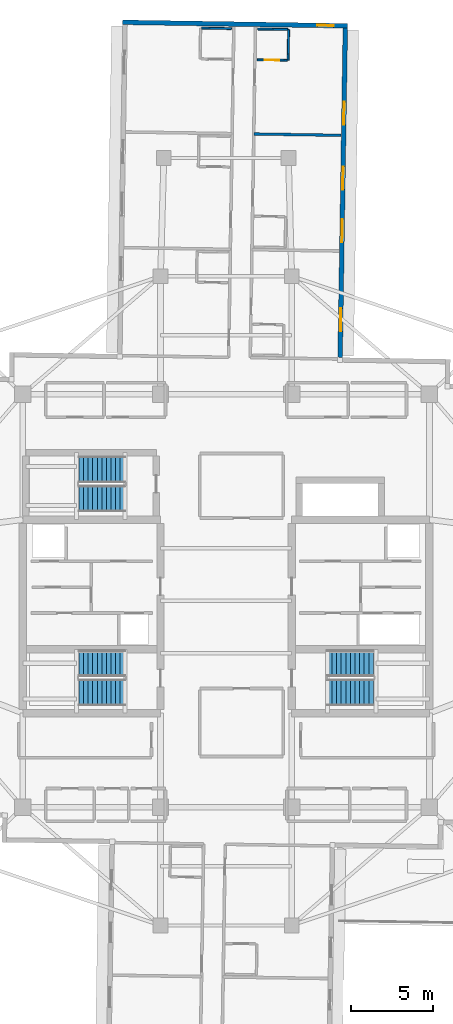
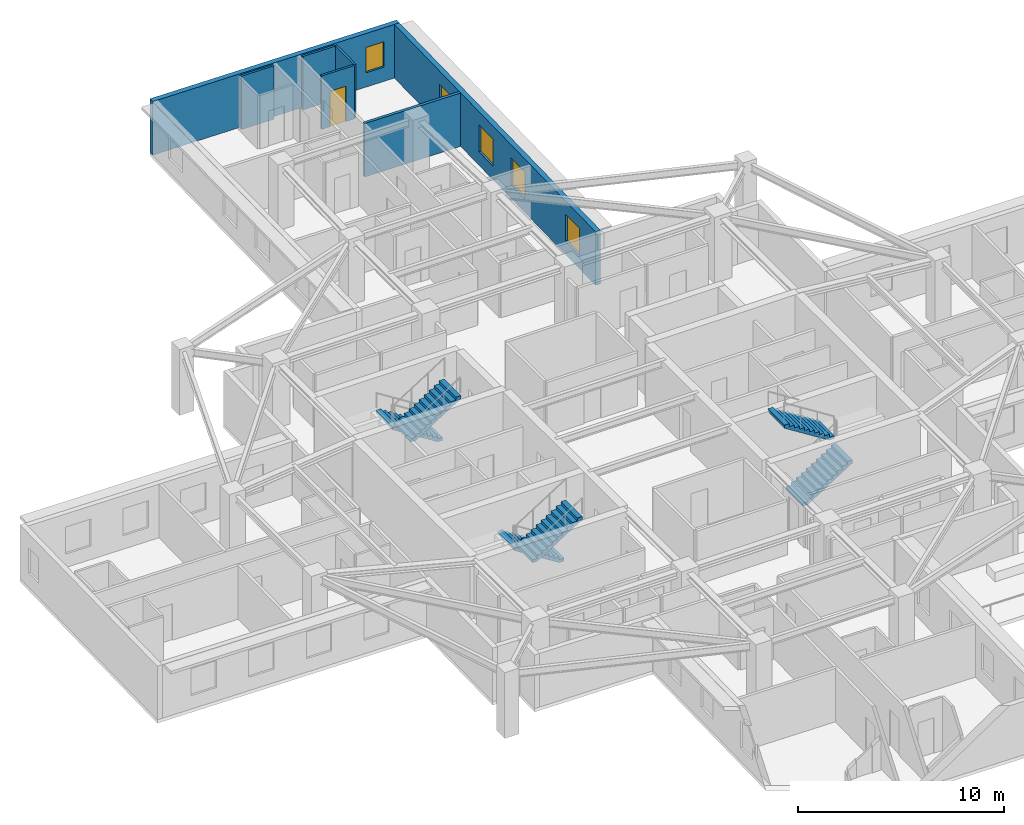
# One storey, part 9 of 13: 7 walls, 6 stair flights, 5 windows, 1 door, 6 openings, 3 elements without a shape of their own.
"""IFC4 building model written with IfcOpenShell, lengths in metres."""

from ifc_helpers import new_model, si_unit, direction, frame, frame_2d, origin, place, context, subcontext, project, spatial, polyline, rectangle, outline, extrude, material, layer, layer_set, type_object, element, fill, aggregate, save


model = new_model("IFC4")

# Units and contexts
model_context = context("Model", 3, precision=1e-05, world=origin(), true_north=direction((0.0, 1.0)))
body_context = subcontext(model_context, "Body", "Model", "MODEL_VIEW")
ifc_project = project(units=[si_unit("LENGTHUNIT", "METRE"), si_unit("AREAUNIT", "SQUARE_METRE"), si_unit("VOLUMEUNIT", "CUBIC_METRE"), si_unit("PLANEANGLEUNIT", "RADIAN"), si_unit("MASSUNIT", "GRAM", prefix="KILO")], contexts=[model_context])

# Site, building, storey
site_placement = place(None, origin())
site = spatial("IfcSite", under=ifc_project, at=site_placement, CompositionType="ELEMENT")
building_placement = place(site_placement, origin())
building = spatial("IfcBuilding", under=site, at=building_placement, Name="Qingluan Cross Belvedere", CompositionType="ELEMENT")
storey_placement = place(building_placement, frame((0.0, 0.0, 228.60009765625)))
storey = spatial("IfcBuildingStorey", under=building, at=storey_placement, Name="L57", CompositionType="ELEMENT", Elevation=228.60009765625)

# Wall
ifc_material_1 = material(Name="Gypsum plasterboard on steel stud acoustic partition", Category="steel")
ifc_layer_1 = layer(ifc_material_1, 0.159912109375, Name="CorridorPartition_160")
ifc_layer_set_1 = layer_set([ifc_layer_1], Name="Gypsum plasterboard on steel stud acoustic partition")
wall_type_1 = type_object("IfcWallType", Name="CorridorPartition_160", PredefinedType="PARTITIONING", material=ifc_layer_set_1)
wall_1_placement = place(storey_placement, frame((1.6875, 28.471923828125, 0.0), z_axis=(0.0, 0.0, 1.0), x_axis=(0.999876663408, -0.015705348516, 0.0)))
element("IfcWall", 1, at=wall_1_placement, inside=storey, type_object=wall_type_1, Name="Partition L57:N:d0_1", PredefinedType="PARTITIONING", context=body_context, shape_type="SweptSolid", body=[
    extrude(rectangle(XDim=5.33203125, YDim=0.159912109375, at=frame_2d((2.666015625, 0.0))), origin(), (0.0, 0.0, 1.0), 3.169921875),
])

# Wall, opening, door
ifc_material_2 = material(Name="Moisture-resistant gypsum board lining")
ifc_layer_2 = layer(ifc_material_2, 0.1201171875, Name="EnsuiteWetPartition_120")
ifc_layer_set_2 = layer_set([ifc_layer_2], Name="Moisture-resistant gypsum board lining")
wall_type_2 = type_object("IfcWallType", Name="EnsuiteWetPartition_120", PredefinedType="PARTITIONING", material=ifc_layer_set_2)
wall_2_placement = place(storey_placement, frame((1.8984375, 32.994384765625, 0.0), z_axis=(0.0, 0.0, 1.0), x_axis=(0.999876836305, -0.015694337248, 0.0)))
wall_2 = element("IfcWall", 2, at=wall_2_placement, inside=storey, type_object=wall_type_2, Name="Partition L57:N:bs0_2", PredefinedType="PARTITIONING", context=body_context, shape_type="SweptSolid", body=[
    extrude(rectangle(XDim=1.820068359375, YDim=0.1201171875, at=frame_2d((0.91015625, 0.0))), origin(), (0.0, 0.0, 1.0), 3.169921875),
])
opening_1_placement = place(wall_2_placement, frame((0.469970703125, 0.0, 0.0)))
opening_1 = element("IfcOpeningElement", 3, at=opening_1_placement, cuts=wall_2, Name="Opening BD-09", PredefinedType="OPENING", context=body_context, shape_type="SweptSolid", body=[
    extrude(rectangle(XDim=0.8798828125, YDim=2.10009765625, at=frame_2d((0.43994140625, 1.050048828125))), frame((0.0, 0.070068359375, 0.0), z_axis=(0.0, -1.0, 0.0), x_axis=(1.0, 0.0, 0.0)), (0.0, 0.0, 1.0), 0.14013671875),
])
ifc_material_3 = material(Name="Moisture-sealed timber en-suite door", Category="wood")
door_type = type_object("IfcDoorType", Name="BathroomDoor_880", OperationType="NOTDEFINED", PredefinedType="DOOR", material=ifc_material_3)
door_placement = place(opening_1_placement, origin())
door = element("IfcDoor", 4, at=door_placement, inside=storey, type_object=door_type, Name="Bathroom door 5711", OperationType="SINGLE_SWING_RIGHT", OverallHeight=2.10009765625, OverallWidth=0.8798828125, PredefinedType="DOOR", context=body_context, shape_type="SweptSolid", body=[
    extrude(rectangle(XDim=0.8798828125, YDim=2.10009765625, at=frame_2d((0.43994140625, 1.050048828125))), frame((0.0, 0.02490234375, 0.0), z_axis=(0.0, -1.0, 0.0), x_axis=(1.0, 0.0, 0.0)), (0.0, 0.0, 1.0), 0.050048828125),
])
fill(opening_1, door)

# Walls
wall_3_placement = place(storey_placement, frame((1.927978515625, 34.8740234375, 0.0), z_axis=(0.0, 0.0, 1.0), x_axis=(0.999876836305, -0.015694337248, 0.0)))
element("IfcWall", 5, at=wall_3_placement, inside=storey, type_object=wall_type_2, Name="Partition L57:N:bw0_2", PredefinedType="PARTITIONING", context=body_context, shape_type="SweptSolid", body=[
    extrude(rectangle(XDim=1.820068359375, YDim=0.1201171875, at=frame_2d((0.91015625, 0.0))), origin(), (0.0, 0.0, 1.0), 3.169921875),
])
wall_4_placement = place(storey_placement, frame((3.783203125, 32.964599609375, 0.0), z_axis=(0.0, 0.0, 1.0), x_axis=(0.01571234584, 0.999876553475, 0.0)))
element("IfcWall", 6, at=wall_4_placement, inside=storey, type_object=wall_type_2, Name="Partition L57:N:bn0_2", PredefinedType="PARTITIONING", context=body_context, shape_type="SweptSolid", body=[
    extrude(rectangle(XDim=1.880126953125, YDim=0.1201171875, at=frame_2d((0.93994140625, 0.0))), origin(), (0.0, 0.0, 1.0), 3.169921875),
])
wall_5_placement = place(storey_placement, frame((-1.49169921875, 34.927734375, 0.0), z_axis=(0.0, 0.0, 1.0), x_axis=(0.999876836305, -0.015694337248, 0.0)))
element("IfcWall", 7, at=wall_5_placement, inside=storey, type_object=wall_type_2, Name="Partition L57:N:bw1_2", PredefinedType="PARTITIONING", context=body_context, shape_type="SweptSolid", body=[
    extrude(rectangle(XDim=1.820068359375, YDim=0.1201171875, at=frame_2d((0.91015625, 0.0))), origin(), (0.0, 0.0, 1.0), 3.169921875),
])

# Wall, openings, windows
ifc_material_4 = material(Name="Precast concrete C45", Category="concrete")
ifc_layer_3 = layer(ifc_material_4, 0.280029296875, Name="PrecastFacadeWall_280")
ifc_layer_set_3 = layer_set([ifc_layer_3], Name="Precast concrete C45")
wall_type_3 = type_object("IfcWallType", Name="PrecastFacadeWall_280", PredefinedType="STANDARD", material=ifc_layer_set_3)
wall_6_placement = place(storey_placement, frame((6.953857421875, 14.83251953125, 0.0), z_axis=(0.0, 0.0, 1.0), x_axis=(0.015705059908, 0.999876667941, 0.0)))
wall_6 = element("IfcWall", 8, at=wall_6_placement, inside=storey, type_object=wall_type_3, Name="Facade wall L57-NA", PredefinedType="STANDARD", context=body_context, shape_type="SweptSolid", body=[
    extrude(rectangle(XDim=20.10009765625, YDim=0.280029296875, at=frame_2d((10.050048828125, 0.0))), origin(), (0.0, 0.0, 1.0), 3.179931640625),
])
opening_2_placement = place(wall_6_placement, frame((1.60009765625, 0.0, 0.800048828125)))
opening_2 = element("IfcOpeningElement", 9, at=opening_2_placement, cuts=wall_6, Name="Opening W-01", PredefinedType="OPENING", context=body_context, shape_type="SweptSolid", body=[
    extrude(rectangle(XDim=1.39990234375, YDim=1.60009765625, at=frame_2d((0.699951171875, 0.800048828125))), frame((0.0, 0.14990234375, 0.0), z_axis=(0.0, -1.0, 0.0), x_axis=(1.0, 0.0, 0.0)), (0.0, 0.0, 1.0), 0.300048828125),
])
opening_3_placement = place(wall_6_placement, frame((7.050048828125, 0.0, 0.800048828125)))
opening_3 = element("IfcOpeningElement", 10, at=opening_3_placement, cuts=wall_6, Name="Opening W-01", PredefinedType="OPENING", context=body_context, shape_type="SweptSolid", body=[
    extrude(rectangle(XDim=1.39990234375, YDim=1.60009765625, at=frame_2d((0.699951171875, 0.800048828125))), frame((0.0, 0.14990234375, 0.0), z_axis=(0.0, -1.0, 0.0), x_axis=(1.0, 0.0, 0.0)), (0.0, 0.0, 1.0), 0.300048828125),
])
opening_4_placement = place(wall_6_placement, frame((10.25, 0.0, 0.800048828125)))
opening_4 = element("IfcOpeningElement", 11, at=opening_4_placement, cuts=wall_6, Name="Opening W-01", PredefinedType="OPENING", context=body_context, shape_type="SweptSolid", body=[
    extrude(rectangle(XDim=1.39990234375, YDim=1.60009765625, at=frame_2d((0.699951171875, 0.800048828125))), frame((0.0, 0.14990234375, 0.0), z_axis=(0.0, -1.0, 0.0), x_axis=(1.0, 0.0, 0.0)), (0.0, 0.0, 1.0), 0.300048828125),
])
opening_5_placement = place(wall_6_placement, frame((14.199951171875, 0.0, 0.800048828125)))
opening_5 = element("IfcOpeningElement", 12, at=opening_5_placement, cuts=wall_6, Name="Opening W-01", PredefinedType="OPENING", context=body_context, shape_type="SweptSolid", body=[
    extrude(rectangle(XDim=1.39990234375, YDim=1.60009765625, at=frame_2d((0.699951171875, 0.800048828125))), frame((0.0, 0.14990234375, 0.0), z_axis=(0.0, -1.0, 0.0), x_axis=(1.0, 0.0, 0.0)), (0.0, 0.0, 1.0), 0.300048828125),
])
ifc_material_5 = material(Name="Thermally broken triple Low-E glass in aluminium frame", Category="aluminium")
window_type_1 = type_object("IfcWindowType", Name="TriRibbonWin_1400x1600", PartitioningType="SINGLE_PANEL", PredefinedType="WINDOW", material=ifc_material_5)
window_1_placement = place(opening_2_placement, origin())
window_1 = element("IfcWindow", 13, at=window_1_placement, inside=storey, type_object=window_type_1, Name="Ribbon window L57-NA-1", OverallHeight=1.60009765625, OverallWidth=1.39990234375, PartitioningType="SINGLE_PANEL", PredefinedType="WINDOW", context=body_context, shape_type="SweptSolid", body=[
    extrude(rectangle(XDim=1.39990234375, YDim=1.60009765625, at=frame_2d((0.699951171875, 0.800048828125))), frame((0.0, 0.030029296875, 0.0), z_axis=(0.0, -1.0, 0.0), x_axis=(1.0, 0.0, 0.0)), (0.0, 0.0, 1.0), 0.06005859375),
])
fill(opening_2, window_1)
window_2_placement = place(opening_3_placement, origin())
window_2 = element("IfcWindow", 14, at=window_2_placement, inside=storey, type_object=window_type_1, Name="Ribbon window L57-NA-2", OverallHeight=1.60009765625, OverallWidth=1.39990234375, PartitioningType="SINGLE_PANEL", PredefinedType="WINDOW", context=body_context, shape_type="SweptSolid", body=[
    extrude(rectangle(XDim=1.39990234375, YDim=1.60009765625, at=frame_2d((0.699951171875, 0.800048828125))), frame((0.0, 0.030029296875, 0.0), z_axis=(0.0, -1.0, 0.0), x_axis=(1.0, 0.0, 0.0)), (0.0, 0.0, 1.0), 0.06005859375),
])
fill(opening_3, window_2)
window_3_placement = place(opening_4_placement, origin())
window_3 = element("IfcWindow", 15, at=window_3_placement, inside=storey, type_object=window_type_1, Name="Ribbon window L57-NA-3", OverallHeight=1.60009765625, OverallWidth=1.39990234375, PartitioningType="SINGLE_PANEL", PredefinedType="WINDOW", context=body_context, shape_type="SweptSolid", body=[
    extrude(rectangle(XDim=1.39990234375, YDim=1.60009765625, at=frame_2d((0.699951171875, 0.800048828125))), frame((0.0, 0.030029296875, 0.0), z_axis=(0.0, -1.0, 0.0), x_axis=(1.0, 0.0, 0.0)), (0.0, 0.0, 1.0), 0.06005859375),
])
fill(opening_4, window_3)
window_4_placement = place(opening_5_placement, origin())
window_4 = element("IfcWindow", 16, at=window_4_placement, inside=storey, type_object=window_type_1, Name="Ribbon window L57-NA-4", OverallHeight=1.60009765625, OverallWidth=1.39990234375, PartitioningType="SINGLE_PANEL", PredefinedType="WINDOW", context=body_context, shape_type="SweptSolid", body=[
    extrude(rectangle(XDim=1.39990234375, YDim=1.60009765625, at=frame_2d((0.699951171875, 0.800048828125))), frame((0.0, 0.030029296875, 0.0), z_axis=(0.0, -1.0, 0.0), x_axis=(1.0, 0.0, 0.0)), (0.0, 0.0, 1.0), 0.06005859375),
])
fill(opening_5, window_4)

# Wall, opening, window
wall_7_placement = place(storey_placement, frame((7.41162109375, 35.06787109375, 0.0), z_axis=(0.0, 0.0, 1.0), x_axis=(-0.999876549481, 0.015712599986, 0.0)))
wall_7 = element("IfcWall", 17, at=wall_7_placement, inside=storey, type_object=wall_type_3, Name="Arm tip precast facade wall L57-N", PredefinedType="STANDARD", context=body_context, shape_type="SweptSolid", body=[
    extrude(rectangle(XDim=13.719970703125, YDim=0.280029296875, at=frame_2d((6.85986328125, 0.0))), origin(), (0.0, 0.0, 1.0), 3.179931640625),
])
opening_6_placement = place(wall_7_placement, frame((0.85009765625, 0.0, 0.85009765625)))
opening_6 = element("IfcOpeningElement", 18, at=opening_6_placement, cuts=wall_7, Name="Opening W-03", PredefinedType="OPENING", context=body_context, shape_type="SweptSolid", body=[
    extrude(rectangle(XDim=1.0, YDim=1.5, at=frame_2d((0.5, 0.75))), frame((0.0, 0.14990234375, 0.0), z_axis=(0.0, -1.0, 0.0), x_axis=(1.0, 0.0, 0.0)), (0.0, 0.0, 1.0), 0.300048828125),
])
ifc_material_6 = material(Name="Thermally broken triple Low-E glass in aluminium frame", Category="aluminium")
window_type_2 = type_object("IfcWindowType", Name="TriApexWin_1000x1500", PartitioningType="SINGLE_PANEL", PredefinedType="WINDOW", material=ifc_material_6)
window_5_placement = place(opening_6_placement, origin())
window_5 = element("IfcWindow", 19, at=window_5_placement, inside=storey, type_object=window_type_2, Name="Arm tip triangular window L57-N", OverallHeight=1.5, OverallWidth=1.0, PartitioningType="SINGLE_PANEL", PredefinedType="WINDOW", context=body_context, shape_type="SweptSolid", body=[
    extrude(rectangle(XDim=1.0, YDim=1.5, at=frame_2d((0.5, 0.75))), frame((0.0, 0.030029296875, 0.0), z_axis=(0.0, -1.0, 0.0), x_axis=(1.0, 0.0, 0.0)), (0.0, 0.0, 1.0), 0.06005859375),
])
fill(opening_6, window_5)

# Stair, stair flights
ifc_material_7 = material(Name="Concrete C40", Category="concrete")
stair_type = type_object("IfcStairType", Name="CoreDoglegStair_1620", PredefinedType="HALF_TURN_STAIR", material=ifc_material_7)
stair_1_placement = place(storey_placement, origin())
stair_1 = element("IfcStair", 20, at=stair_1_placement, inside=storey, type_object=stair_type, Name="L57 ST1", PredefinedType="HALF_TURN_STAIR")
ifc_material_8 = material(Name="Concrete C40", Category="concrete")
ifc_layer_4 = layer(ifc_material_8, 0.179931640625, Name="StairFlight_RC180")
ifc_layer_set_4 = layer_set([ifc_layer_4], Name="Concrete C40")
stair_flight_type = type_object("IfcStairFlightType", Name="StairFlight_RC180", PredefinedType="STRAIGHT", material=ifc_layer_set_4)
stair_flight_1_placement = place(storey_placement, frame((-6.179931640625, -3.81005859375, 0.0), z_axis=(0.0, 0.0, 1.0), x_axis=(-1.0, 0.0, 0.0)))
stair_flight_1 = element("IfcStairFlight", 21, at=stair_flight_1_placement, type_object=stair_flight_type, Name="ST1 flight 1", NumberOfRisers=11, NumberOfTreads=10, PredefinedType="STRAIGHT", RiserHeight=0.177272727, TreadLength=0.28, context=body_context, shape_type="SweptSolid", body=[
    extrude(outline(polyline([(0.0, 0.0), (0.0, 0.17724609375), (0.280029296875, 0.17724609375), (0.280029296875, 0.3544921875), (0.56005859375, 0.3544921875), (0.56005859375, 0.53173828125), (0.840087890625, 0.53173828125), (0.840087890625, 0.708984375), (1.1201171875, 0.708984375), (1.1201171875, 0.886474609375), (1.39990234375, 0.886474609375), (1.39990234375, 1.063720703125), (1.679931640625, 1.063720703125), (1.679931640625, 1.240966796875), (1.9599609375, 1.240966796875), (1.9599609375, 1.418212890625), (2.239990234375, 1.418212890625), (2.239990234375, 1.595458984375), (2.52001953125, 1.595458984375), (2.52001953125, 1.772705078125), (2.800048828125, 1.772705078125), (2.800048828125, 1.949951171875), (2.800048828125, 1.59521484375), (0.2802734375, 0.0), (0.0, 0.0)])), frame((0.0, 0.81005859375, 0.0), z_axis=(0.0, -1.0, 0.0), x_axis=(1.0, 0.0, 0.0)), (0.0, 0.0, 1.0), 1.6201171875),
])
stair_flight_2_placement = place(storey_placement, frame((-8.97998046875, -5.590087890625, 1.949951171875), z_axis=(0.0, 0.0, 1.0), x_axis=(1.0, 0.0, 0.0)))
stair_flight_2 = element("IfcStairFlight", 22, at=stair_flight_2_placement, type_object=stair_flight_type, Name="ST1 flight 2", NumberOfRisers=11, NumberOfTreads=10, PredefinedType="STRAIGHT", RiserHeight=0.177272727, TreadLength=0.28, context=body_context, shape_type="SweptSolid", body=[
    extrude(outline(polyline([(0.0, 0.0), (0.0, 0.17724609375), (0.280029296875, 0.17724609375), (0.280029296875, 0.3544921875), (0.56005859375, 0.3544921875), (0.56005859375, 0.53173828125), (0.840087890625, 0.53173828125), (0.840087890625, 0.708984375), (1.1201171875, 0.708984375), (1.1201171875, 0.886474609375), (1.39990234375, 0.886474609375), (1.39990234375, 1.063720703125), (1.679931640625, 1.063720703125), (1.679931640625, 1.240966796875), (1.9599609375, 1.240966796875), (1.9599609375, 1.418212890625), (2.239990234375, 1.418212890625), (2.239990234375, 1.595458984375), (2.52001953125, 1.595458984375), (2.52001953125, 1.772705078125), (2.800048828125, 1.772705078125), (2.800048828125, 1.949951171875), (2.800048828125, 1.59521484375), (0.2802734375, 0.0), (0.0, 0.0)])), frame((0.0, 0.81005859375, 0.0), z_axis=(0.0, -1.0, 0.0), x_axis=(1.0, 0.0, 0.0)), (0.0, 0.0, 1.0), 1.6201171875),
])
aggregate(stair_1, [stair_flight_1, stair_flight_2])

stair_2_placement = place(storey_placement, origin())
stair_2 = element("IfcStair", 23, at=stair_2_placement, inside=storey, type_object=stair_type, Name="L57 ST2", PredefinedType="HALF_TURN_STAIR")
stair_flight_3_placement = place(storey_placement, frame((6.179931640625, -5.590087890625, 0.0), z_axis=(0.0, 0.0, 1.0), x_axis=(1.0, 0.0, 0.0)))
stair_flight_3 = element("IfcStairFlight", 24, at=stair_flight_3_placement, type_object=stair_flight_type, Name="ST2 flight 1", NumberOfRisers=11, NumberOfTreads=10, PredefinedType="STRAIGHT", RiserHeight=0.177272727, TreadLength=0.28, context=body_context, shape_type="SweptSolid", body=[
    extrude(outline(polyline([(0.0, 0.0), (0.0, 0.17724609375), (0.280029296875, 0.17724609375), (0.280029296875, 0.3544921875), (0.56005859375, 0.3544921875), (0.56005859375, 0.53173828125), (0.840087890625, 0.53173828125), (0.840087890625, 0.708984375), (1.1201171875, 0.708984375), (1.1201171875, 0.886474609375), (1.39990234375, 0.886474609375), (1.39990234375, 1.063720703125), (1.679931640625, 1.063720703125), (1.679931640625, 1.240966796875), (1.9599609375, 1.240966796875), (1.9599609375, 1.418212890625), (2.239990234375, 1.418212890625), (2.239990234375, 1.595458984375), (2.52001953125, 1.595458984375), (2.52001953125, 1.772705078125), (2.800048828125, 1.772705078125), (2.800048828125, 1.949951171875), (2.800048828125, 1.59521484375), (0.2802734375, 0.0), (0.0, 0.0)])), frame((0.0, 0.81005859375, 0.0), z_axis=(0.0, -1.0, 0.0), x_axis=(1.0, 0.0, 0.0)), (0.0, 0.0, 1.0), 1.6201171875),
])
stair_flight_4_placement = place(storey_placement, frame((8.97998046875, -3.81005859375, 1.949951171875), z_axis=(0.0, 0.0, 1.0), x_axis=(-1.0, 0.0, 0.0)))
stair_flight_4 = element("IfcStairFlight", 25, at=stair_flight_4_placement, type_object=stair_flight_type, Name="ST2 flight 2", NumberOfRisers=11, NumberOfTreads=10, PredefinedType="STRAIGHT", RiserHeight=0.177272727, TreadLength=0.28, context=body_context, shape_type="SweptSolid", body=[
    extrude(outline(polyline([(0.0, 0.0), (0.0, 0.17724609375), (0.280029296875, 0.17724609375), (0.280029296875, 0.3544921875), (0.56005859375, 0.3544921875), (0.56005859375, 0.53173828125), (0.840087890625, 0.53173828125), (0.840087890625, 0.708984375), (1.1201171875, 0.708984375), (1.1201171875, 0.886474609375), (1.39990234375, 0.886474609375), (1.39990234375, 1.063720703125), (1.679931640625, 1.063720703125), (1.679931640625, 1.240966796875), (1.9599609375, 1.240966796875), (1.9599609375, 1.418212890625), (2.239990234375, 1.418212890625), (2.239990234375, 1.595458984375), (2.52001953125, 1.595458984375), (2.52001953125, 1.772705078125), (2.800048828125, 1.772705078125), (2.800048828125, 1.949951171875), (2.800048828125, 1.59521484375), (0.2802734375, 0.0), (0.0, 0.0)])), frame((0.0, 0.81005859375, 0.0), z_axis=(0.0, -1.0, 0.0), x_axis=(1.0, 0.0, 0.0)), (0.0, 0.0, 1.0), 1.6201171875),
])
aggregate(stair_2, [stair_flight_3, stair_flight_4])

stair_3_placement = place(storey_placement, origin())
stair_3 = element("IfcStair", 26, at=stair_3_placement, inside=storey, type_object=stair_type, Name="L57 ST3", PredefinedType="HALF_TURN_STAIR")
stair_flight_5_placement = place(storey_placement, frame((-6.179931640625, 8.010009765625, 0.0), z_axis=(0.0, 0.0, 1.0), x_axis=(-1.0, 0.0, 0.0)))
stair_flight_5 = element("IfcStairFlight", 27, at=stair_flight_5_placement, type_object=stair_flight_type, Name="ST3 flight 1", NumberOfRisers=11, NumberOfTreads=10, PredefinedType="STRAIGHT", RiserHeight=0.177272727, TreadLength=0.28, context=body_context, shape_type="SweptSolid", body=[
    extrude(outline(polyline([(0.0, 0.0), (0.0, 0.17724609375), (0.280029296875, 0.17724609375), (0.280029296875, 0.3544921875), (0.56005859375, 0.3544921875), (0.56005859375, 0.53173828125), (0.840087890625, 0.53173828125), (0.840087890625, 0.708984375), (1.1201171875, 0.708984375), (1.1201171875, 0.886474609375), (1.39990234375, 0.886474609375), (1.39990234375, 1.063720703125), (1.679931640625, 1.063720703125), (1.679931640625, 1.240966796875), (1.9599609375, 1.240966796875), (1.9599609375, 1.418212890625), (2.239990234375, 1.418212890625), (2.239990234375, 1.595458984375), (2.52001953125, 1.595458984375), (2.52001953125, 1.772705078125), (2.800048828125, 1.772705078125), (2.800048828125, 1.949951171875), (2.800048828125, 1.59521484375), (0.2802734375, 0.0), (0.0, 0.0)])), frame((0.0, 0.81005859375, 0.0), z_axis=(0.0, -1.0, 0.0), x_axis=(1.0, 0.0, 0.0)), (0.0, 0.0, 1.0), 1.6201171875),
])
stair_flight_6_placement = place(storey_placement, frame((-8.97998046875, 6.22998046875, 1.949951171875), z_axis=(0.0, 0.0, 1.0), x_axis=(1.0, 0.0, 0.0)))
stair_flight_6 = element("IfcStairFlight", 28, at=stair_flight_6_placement, type_object=stair_flight_type, Name="ST3 flight 2", NumberOfRisers=11, NumberOfTreads=10, PredefinedType="STRAIGHT", RiserHeight=0.177272727, TreadLength=0.28, context=body_context, shape_type="SweptSolid", body=[
    extrude(outline(polyline([(0.0, 0.0), (0.0, 0.17724609375), (0.280029296875, 0.17724609375), (0.280029296875, 0.3544921875), (0.56005859375, 0.3544921875), (0.56005859375, 0.53173828125), (0.840087890625, 0.53173828125), (0.840087890625, 0.708984375), (1.1201171875, 0.708984375), (1.1201171875, 0.886474609375), (1.39990234375, 0.886474609375), (1.39990234375, 1.063720703125), (1.679931640625, 1.063720703125), (1.679931640625, 1.240966796875), (1.9599609375, 1.240966796875), (1.9599609375, 1.418212890625), (2.239990234375, 1.418212890625), (2.239990234375, 1.595458984375), (2.52001953125, 1.595458984375), (2.52001953125, 1.772705078125), (2.800048828125, 1.772705078125), (2.800048828125, 1.949951171875), (2.800048828125, 1.59521484375), (0.2802734375, 0.0), (0.0, 0.0)])), frame((0.0, 0.81005859375, 0.0), z_axis=(0.0, -1.0, 0.0), x_axis=(1.0, 0.0, 0.0)), (0.0, 0.0, 1.0), 1.6201171875),
])
aggregate(stair_3, [stair_flight_5, stair_flight_6])

save(model, "model.ifc")
